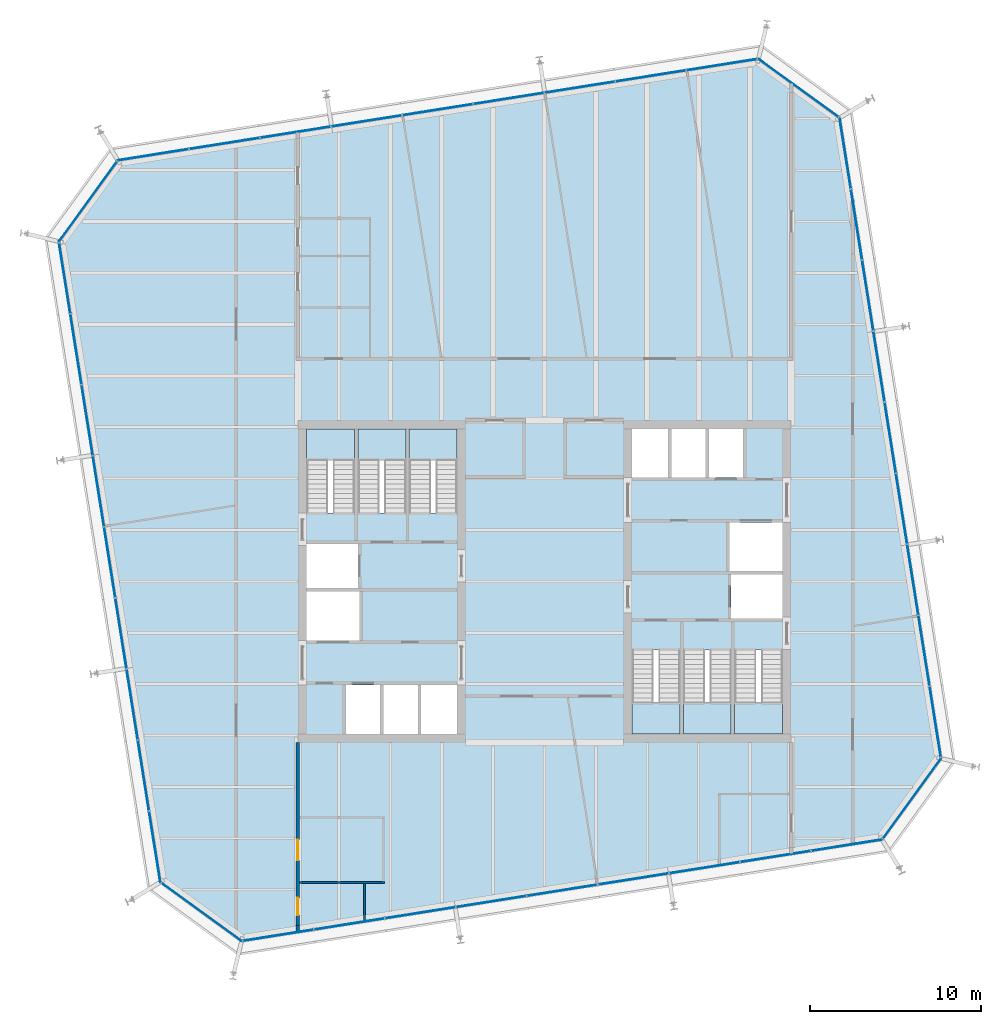
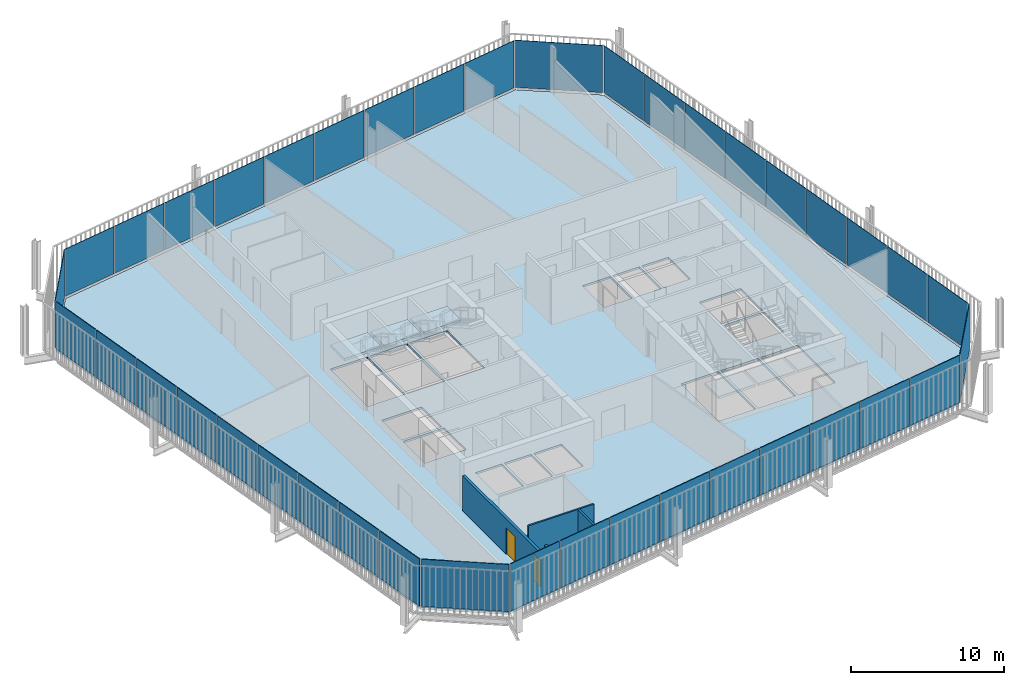
# One storey, part 15 of 20: 40 plates, 7 slabs, 4 walls, 2 doors, 2 openings, 14 elements without a shape of their own.
"""IFC4 building model written with IfcOpenShell, lengths in metres."""

import ifcopenshell
import ifcopenshell.guid

model = None  # the IFC model being written
_history = None  # IfcOwnerHistory: only IFC2X3 demands one
_inside = {}  # id of a spatial element -> (the spatial element, [elements in it])
_under = {}  # id of a project, library or spatial element -> (it, [spatial elements below it])
_declared = {}  # id of a project -> (the project, [libraries it declares])
_typed = {}  # id of a type object -> (the type object, [elements of that type])
_made_of = {}  # id of a material, layer set ... -> (it, [elements and type objects made of it])


def new_model(schema):
    """Start an empty IFC model of exactly this schema.

    Asked for "IFC4X3", IfcOpenShell would pick the latest addendum, in which some entities
    have other attributes; the version numbers below select the first issue.
    IFC2X3 requires an IfcOwnerHistory on every rooted entity: one is made here for all.
    """
    global model, _history
    if schema == "IFC4X3":
        model = ifcopenshell.file(schema_version=(4, 3, 0, 0))
    else:
        model = ifcopenshell.file(schema=schema)
    _inside.clear()
    _under.clear()
    _declared.clear()
    _typed.clear()
    _made_of.clear()
    _history = None
    if model.schema == "IFC2X3":
        org = make("IfcOrganization", Name="unknown")
        user = make(
            "IfcPersonAndOrganization",
            ThePerson=make("IfcPerson", FamilyName="unknown"),
            TheOrganization=org,
        )
        app = make(
            "IfcApplication",
            ApplicationDeveloper=org,
            Version="unknown",
            ApplicationFullName="unknown",
            ApplicationIdentifier="unknown",
        )
        _history = make(
            "IfcOwnerHistory",
            OwningUser=user,
            OwningApplication=app,
            ChangeAction="ADDED",
            CreationDate=0,
        )
    return model


def make(cls, **values):
    """One entity of the class cls with the attributes given. An attribute that is None is left unset."""
    return model.create_entity(
        cls, **{name: value for name, value in values.items() if value is not None}
    )


def rooted(cls, **values):
    """An entity with a GlobalId (a new one), such as an element, a storey or a relation."""
    return make(cls, GlobalId=ifcopenshell.guid.new(), OwnerHistory=_history, **values)


def si_unit(unit_type, name, prefix=None):
    """IfcSIUnit, for example si_unit("LENGTHUNIT", "METRE", prefix="MILLI")."""
    return make("IfcSIUnit", UnitType=unit_type, Prefix=prefix, Name=name)


def assignment(units):
    """IfcUnitAssignment: the units of a project."""
    return None if units is None else make("IfcUnitAssignment", Units=units)


def point(xyz):
    """IfcCartesianPoint."""
    return None if xyz is None else make("IfcCartesianPoint", Coordinates=xyz)


def direction(xyz):
    """IfcDirection."""
    return None if xyz is None else make("IfcDirection", DirectionRatios=xyz)


def frame(location, z_axis=None, x_axis=None):
    """IfcAxis2Placement3D, a coordinate frame: its origin and axes. An axis left out is left unset."""
    return make(
        "IfcAxis2Placement3D",
        Location=point(location),
        Axis=direction(z_axis),
        RefDirection=direction(x_axis),
    )


def frame_2d(location, x_axis=None):
    """IfcAxis2Placement2D, a coordinate frame in the plane: its origin and x axis."""
    return make(
        "IfcAxis2Placement2D", Location=point(location), RefDirection=direction(x_axis)
    )


def origin():
    """The frame at (0, 0, 0) with its axes left unset."""
    return frame((0.0, 0.0, 0.0))


def place(relative_to, where):
    """IfcLocalPlacement: puts the frame where relative to a parent placement (None: the world)."""
    return make(
        "IfcLocalPlacement", PlacementRelTo=relative_to, RelativePlacement=where
    )


def context(
    kind, dimensions, precision=None, world=None, true_north=None, identifier=None
):
    """IfcGeometricRepresentationContext, for example the 3D "Model" context."""
    return make(
        "IfcGeometricRepresentationContext",
        ContextIdentifier=identifier,
        ContextType=kind,
        CoordinateSpaceDimension=dimensions,
        Precision=precision,
        WorldCoordinateSystem=world,
        TrueNorth=true_north,
    )


def subcontext(parent, identifier, kind, view, scale=None):
    """IfcGeometricRepresentationSubContext, for example "Body" below "Model"."""
    return make(
        "IfcGeometricRepresentationSubContext",
        ContextIdentifier=identifier,
        ContextType=kind,
        ParentContext=parent,
        TargetScale=scale,
        TargetView=view,
    )


def project(units=None, contexts=None):
    """IfcProject with its units and contexts."""
    return rooted(
        "IfcProject",
        Name="project",
        RepresentationContexts=contexts,
        UnitsInContext=assignment(units),
    )


def spatial(cls, under=None, at=None, **own):
    """A site, building, storey or space (cls), placed at a placement, below another one or the project."""
    s = rooted(cls, ObjectPlacement=at, **own)
    if under is not None:
        _under.setdefault(under.id(), (under, []))[1].append(s)
    return s


def polyline(points):
    """IfcPolyline through the points."""
    return make("IfcPolyline", Points=[point(p) for p in points])


def profile(cls, at=None, kind="AREA", **sizes):
    """A parametric profile (cls). Its sizes go by their IFC names, for example OverallWidth=200.0."""
    return make(cls, ProfileType=kind, Position=at, **sizes)


def rectangle(**sizes):
    """IfcRectangleProfileDef."""
    return profile("IfcRectangleProfileDef", **sizes)


def outline(outer, holes=None, kind="AREA"):
    """IfcArbitraryClosedProfileDef: a profile drawn as a closed curve; with holes, ...WithVoids."""
    if holes is None:
        return make("IfcArbitraryClosedProfileDef", ProfileType=kind, OuterCurve=outer)
    return make(
        "IfcArbitraryProfileDefWithVoids",
        ProfileType=kind,
        OuterCurve=outer,
        InnerCurves=holes,
    )


def extrude(swept, where, along, depth):
    """IfcExtrudedAreaSolid: the profile swept, set in the frame where, extruded along a direction by depth."""
    return make(
        "IfcExtrudedAreaSolid",
        SweptArea=swept,
        Position=where,
        ExtrudedDirection=direction(along),
        Depth=depth,
    )


def shape(context_of_items, identifier, shape_type, items):
    """IfcShapeRepresentation: the items that make up one representation, for example the "Body"."""
    return make(
        "IfcShapeRepresentation",
        ContextOfItems=context_of_items,
        RepresentationIdentifier=identifier,
        RepresentationType=shape_type,
        Items=items,
    )


def material(Name=None, Category=None):
    """IfcMaterial."""
    return make("IfcMaterial", Name=Name, Category=Category)


def layer(
    of_material, thickness, ventilated=None, Name=None, Category=None, Priority=None
):
    """IfcMaterialLayer: one layer of a wall or slab, of a material (None: an air gap)."""
    return make(
        "IfcMaterialLayer",
        Material=of_material,
        LayerThickness=thickness,
        IsVentilated=ventilated,
        Name=Name,
        Category=Category,
        Priority=Priority,
    )


def layer_set(layers, Name=None):
    """IfcMaterialLayerSet."""
    return make("IfcMaterialLayerSet", MaterialLayers=layers, LayerSetName=Name)


def made_of(thing, what):
    """Note that an element or type object is made of a material, layer set ...; save() writes the relation."""
    if what is not None:
        _made_of.setdefault(what.id(), (what, []))[1].append(thing)
    return thing


def type_object(cls, material=None, **own):
    """A type object (cls), such as IfcWallType, which elements share."""
    return made_of(rooted(cls, **own), material)


def element(
    cls,
    number,
    at=None,
    inside=None,
    cuts=None,
    type_object=None,
    material=None,
    context=None,
    identifier="Body",
    shape_type=None,
    held_by="IfcProductDefinitionShape",
    body=None,
    shapes=None,
    **own,
):
    """One element of the class cls, such as IfcWall. Its Tag is "e" and its number.

    at: its placement. inside: the storey or other place that contains it. cuts: it is an
    opening in that element (IfcRelVoidsElement). A single representation is given by context,
    identifier, shape_type and body (its items); several are given by shapes. held_by: the class
    of the entity that holds the representations. save() writes the other relations.
    """
    e = rooted(cls, Tag="e%d" % number, ObjectPlacement=at, **own)
    if body is not None:
        shapes = [shape(context, identifier, shape_type, body)]
    if shapes is not None:
        e.Representation = make(held_by, Representations=shapes)
    if inside is not None:
        _inside.setdefault(inside.id(), (inside, []))[1].append(e)
    if cuts is not None:
        rooted(
            "IfcRelVoidsElement", RelatingBuildingElement=cuts, RelatedOpeningElement=e
        )
    if type_object is not None:
        _typed.setdefault(type_object.id(), (type_object, []))[1].append(e)
    return made_of(e, material)


def fill(opening, filler):
    """IfcRelFillsElement: the door or window that sits in an opening."""
    return rooted(
        "IfcRelFillsElement",
        RelatingOpeningElement=opening,
        RelatedBuildingElement=filler,
    )


def aggregate(whole, parts):
    """IfcRelAggregates: a whole, such as a stair, and the parts it consists of."""
    return rooted("IfcRelAggregates", RelatingObject=whole, RelatedObjects=parts)


def save(model, path):
    """Write the relations noted so far, then the file.

    IfcRelAggregates (storeys below a building ...), IfcRelContainedInSpatialStructure (elements
    in a storey), IfcRelDefinesByType, IfcRelAssociatesMaterial and IfcRelDeclares: one each for
    every whole, place, type object, material and project.
    """
    for whole, parts in _under.values():
        aggregate(whole, parts)
    for where, things in _inside.values():
        rooted(
            "IfcRelContainedInSpatialStructure",
            RelatedElements=things,
            RelatingStructure=where,
        )
    for kind, things in _typed.values():
        rooted("IfcRelDefinesByType", RelatedObjects=things, RelatingType=kind)
    for what, things in _made_of.values():
        rooted("IfcRelAssociatesMaterial", RelatedObjects=things, RelatingMaterial=what)
    for by, libraries in _declared.values():
        rooted("IfcRelDeclares", RelatingContext=by, RelatedDefinitions=libraries)
    model.write(path)


model = new_model("IFC4")

# Units and contexts
model_context = context("Model", 3, precision=1e-05, world=origin(), true_north=direction((0.0, 1.0)))
body_context = subcontext(model_context, "Body", "Model", "MODEL_VIEW")
ifc_project = project(units=[si_unit("LENGTHUNIT", "METRE"), si_unit("AREAUNIT", "SQUARE_METRE"), si_unit("VOLUMEUNIT", "CUBIC_METRE"), si_unit("PLANEANGLEUNIT", "RADIAN"), si_unit("MASSUNIT", "GRAM", prefix="KILO")], contexts=[model_context])

# Site, building, storey
site_placement = place(None, origin())
site = spatial("IfcSite", under=ifc_project, at=site_placement, CompositionType="ELEMENT")
building_placement = place(site_placement, origin())
building = spatial("IfcBuilding", under=site, at=building_placement, Name="Millrace Tower", CompositionType="ELEMENT")
storey_placement = place(building_placement, frame((0.0, 0.0, 224.199951171875)))
storey = spatial("IfcBuildingStorey", under=building, at=storey_placement, Name="L51", CompositionType="ELEMENT", Elevation=224.199951171875)

# Curtain wall, plate
ifc_material_1 = material(Name="Aluminium and glass", Category="aluminium")
ifc_layer_1 = layer(ifc_material_1, 0.14990234375)
ifc_layer_set_1 = layer_set([ifc_layer_1], Name="Aluminium and glass")
curtain_wall_type = type_object("IfcCurtainWallType", Name="CW-1 office vision curtain wall", PredefinedType="NOTDEFINED", material=ifc_layer_set_1)
placement_1 = place(storey_placement, origin())
curtain_wall_1 = element("IfcCurtainWall", 1, at=placement_1, inside=storey, type_object=curtain_wall_type, Name="Curtain wall D-F01 L51", PredefinedType="NOTDEFINED")
ifc_material_2 = material(Name="Glass", Category="glass")
ifc_layer_2 = layer(ifc_material_2, 0.0439453125)
ifc_layer_set_2 = layer_set([ifc_layer_2], Name="Glass")
plate_type = type_object("IfcPlateType", Name="CW-1 office vision curtain wall triple-glazed vision panel", PredefinedType="CURTAIN_PANEL", material=ifc_layer_set_2)
placement_2 = place(storey_placement, frame((0.0, 0.0, 0.14013671875)))
plate_1 = element("IfcPlate", 2, at=placement_2, type_object=plate_type, Name="CW1 panel D-F01.1", PredefinedType="CURTAIN_PANEL", context=body_context, shape_type="SweptSolid", body=[
    extrude(outline(polyline([(-22.36474609375, -17.632080078125), (-17.69384765625, -21.025634765625), (-17.6826171875, -20.979248046875), (-22.3388671875, -17.596435546875), (-22.36474609375, -17.632080078125)])), origin(), (0.0, 0.0, 1.0), 3.760009765625),
])
aggregate(curtain_wall_1, [plate_1])

# Curtain wall, plates
curtain_wall_2 = element("IfcCurtainWall", 3, at=placement_1, inside=storey, type_object=curtain_wall_type, Name="Curtain wall D-F02 L51", PredefinedType="NOTDEFINED")
plate_2 = element("IfcPlate", 4, at=placement_2, type_object=plate_type, Name="CW1 panel D-F02.1", PredefinedType="CURTAIN_PANEL", context=body_context, shape_type="SweptSolid", body=[
    extrude(outline(polyline([(-17.58984375, -21.009033203125), (-13.505859375, -20.3623046875), (-13.5126953125, -20.31884765625), (-17.596923828125, -20.965576171875), (-17.58984375, -21.009033203125)])), origin(), (0.0, 0.0, 1.0), 3.760009765625),
])
plate_3 = element("IfcPlate", 5, at=placement_2, type_object=plate_type, Name="CW1 panel D-F02.2", PredefinedType="CURTAIN_PANEL", context=body_context, shape_type="SweptSolid", body=[
    extrude(outline(polyline([(-13.441650390625, -20.35205078125), (-9.357666015625, -19.705078125), (-9.364501953125, -19.66162109375), (-13.448486328125, -20.30859375), (-13.441650390625, -20.35205078125)])), origin(), (0.0, 0.0, 1.0), 3.760009765625),
])
plate_4 = element("IfcPlate", 6, at=placement_2, type_object=plate_type, Name="CW1 panel D-F02.3", PredefinedType="CURTAIN_PANEL", context=body_context, shape_type="SweptSolid", body=[
    extrude(outline(polyline([(-9.29345703125, -19.695068359375), (-5.209228515625, -19.048095703125), (-5.216064453125, -19.004638671875), (-9.30029296875, -19.651611328125), (-9.29345703125, -19.695068359375)])), origin(), (0.0, 0.0, 1.0), 3.760009765625),
])
plate_5 = element("IfcPlate", 7, at=placement_2, type_object=plate_type, Name="CW1 panel D-F02.4", PredefinedType="CURTAIN_PANEL", context=body_context, shape_type="SweptSolid", body=[
    extrude(outline(polyline([(-5.14501953125, -19.0380859375), (-1.06103515625, -18.39111328125), (-1.06787109375, -18.34765625), (-5.15185546875, -18.99462890625), (-5.14501953125, -19.0380859375)])), origin(), (0.0, 0.0, 1.0), 3.760009765625),
])
plate_6 = element("IfcPlate", 8, at=placement_2, type_object=plate_type, Name="CW1 panel D-F02.5", PredefinedType="CURTAIN_PANEL", context=body_context, shape_type="SweptSolid", body=[
    extrude(outline(polyline([(-0.996826171875, -18.380859375), (3.08740234375, -17.734130859375), (3.080322265625, -17.690673828125), (-1.003662109375, -18.33740234375), (-0.996826171875, -18.380859375)])), origin(), (0.0, 0.0, 1.0), 3.760009765625),
])
plate_7 = element("IfcPlate", 9, at=placement_2, type_object=plate_type, Name="CW1 panel D-F02.6", PredefinedType="CURTAIN_PANEL", context=body_context, shape_type="SweptSolid", body=[
    extrude(outline(polyline([(3.151611328125, -17.723876953125), (7.235595703125, -17.0771484375), (7.228759765625, -17.03369140625), (3.14453125, -17.680419921875), (3.151611328125, -17.723876953125)])), origin(), (0.0, 0.0, 1.0), 3.760009765625),
])
plate_8 = element("IfcPlate", 10, at=placement_2, type_object=plate_type, Name="CW1 panel D-F02.7", PredefinedType="CURTAIN_PANEL", context=body_context, shape_type="SweptSolid", body=[
    extrude(outline(polyline([(7.2998046875, -17.06689453125), (11.3837890625, -16.420166015625), (11.376953125, -16.376708984375), (7.29296875, -17.0234375), (7.2998046875, -17.06689453125)])), origin(), (0.0, 0.0, 1.0), 3.760009765625),
])
plate_9 = element("IfcPlate", 11, at=placement_2, type_object=plate_type, Name="CW1 panel D-F02.8", PredefinedType="CURTAIN_PANEL", context=body_context, shape_type="SweptSolid", body=[
    extrude(outline(polyline([(11.447998046875, -16.409912109375), (15.5322265625, -15.762939453125), (15.525390625, -15.719482421875), (11.441162109375, -16.366455078125), (11.447998046875, -16.409912109375)])), origin(), (0.0, 0.0, 1.0), 3.760009765625),
])
plate_10 = element("IfcPlate", 12, at=placement_2, type_object=plate_type, Name="CW1 panel D-F02.9", PredefinedType="CURTAIN_PANEL", context=body_context, shape_type="SweptSolid", body=[
    extrude(outline(polyline([(15.596435546875, -15.7529296875), (19.72021484375, -15.099853515625), (19.6953125, -15.05908203125), (15.589599609375, -15.70947265625), (15.596435546875, -15.7529296875)])), origin(), (0.0, 0.0, 1.0), 3.760009765625),
])
aggregate(curtain_wall_2, [plate_2, plate_3, plate_4, plate_5, plate_6, plate_7, plate_8, plate_9, plate_10])

# Curtain wall, plate
curtain_wall_3 = element("IfcCurtainWall", 13, at=placement_1, inside=storey, type_object=curtain_wall_type, Name="Curtain wall D-F03 L51", PredefinedType="NOTDEFINED")
plate_11 = element("IfcPlate", 14, at=placement_2, type_object=plate_type, Name="CW1 panel D-F03.1", PredefinedType="CURTAIN_PANEL", context=body_context, shape_type="SweptSolid", body=[
    extrude(outline(polyline([(19.781982421875, -15.0146484375), (23.175537109375, -10.34375), (23.129150390625, -10.332763671875), (19.746337890625, -14.98876953125), (19.781982421875, -15.0146484375)])), origin(), (0.0, 0.0, 1.0), 3.760009765625),
])
aggregate(curtain_wall_3, [plate_11])

# Curtain wall, plates
curtain_wall_4 = element("IfcCurtainWall", 15, at=placement_1, inside=storey, type_object=curtain_wall_type, Name="Curtain wall D-F04 L51", PredefinedType="NOTDEFINED")
plate_12 = element("IfcPlate", 16, at=placement_2, type_object=plate_type, Name="CW1 panel D-F04.1", PredefinedType="CURTAIN_PANEL", context=body_context, shape_type="SweptSolid", body=[
    extrude(outline(polyline([(23.1591796875, -10.239990234375), (22.51220703125, -6.15576171875), (22.46875, -6.162841796875), (23.11572265625, -10.246826171875), (23.1591796875, -10.239990234375)])), origin(), (0.0, 0.0, 1.0), 3.760009765625),
])
plate_13 = element("IfcPlate", 17, at=placement_2, type_object=plate_type, Name="CW1 panel D-F04.2", PredefinedType="CURTAIN_PANEL", context=body_context, shape_type="SweptSolid", body=[
    extrude(outline(polyline([(22.501953125, -6.091552734375), (21.855224609375, -2.007568359375), (21.811767578125, -2.014404296875), (22.45849609375, -6.0986328125), (22.501953125, -6.091552734375)])), origin(), (0.0, 0.0, 1.0), 3.760009765625),
])
plate_14 = element("IfcPlate", 18, at=placement_2, type_object=plate_type, Name="CW1 panel D-F04.3", PredefinedType="CURTAIN_PANEL", context=body_context, shape_type="SweptSolid", body=[
    extrude(outline(polyline([(21.844970703125, -1.943359375), (21.1982421875, 2.140625), (21.15478515625, 2.1337890625), (21.801513671875, -1.9501953125), (21.844970703125, -1.943359375)])), origin(), (0.0, 0.0, 1.0), 3.760009765625),
])
plate_15 = element("IfcPlate", 19, at=placement_2, type_object=plate_type, Name="CW1 panel D-F04.4", PredefinedType="CURTAIN_PANEL", context=body_context, shape_type="SweptSolid", body=[
    extrude(outline(polyline([(21.18798828125, 2.204833984375), (20.541259765625, 6.2890625), (20.497802734375, 6.2822265625), (21.14453125, 2.197998046875), (21.18798828125, 2.204833984375)])), origin(), (0.0, 0.0, 1.0), 3.760009765625),
])
plate_16 = element("IfcPlate", 20, at=placement_2, type_object=plate_type, Name="CW1 panel D-F04.5", PredefinedType="CURTAIN_PANEL", context=body_context, shape_type="SweptSolid", body=[
    extrude(outline(polyline([(20.531005859375, 6.353271484375), (19.884033203125, 10.437255859375), (19.840576171875, 10.430419921875), (20.487548828125, 6.346435546875), (20.531005859375, 6.353271484375)])), origin(), (0.0, 0.0, 1.0), 3.760009765625),
])
plate_17 = element("IfcPlate", 21, at=placement_2, type_object=plate_type, Name="CW1 panel D-F04.6", PredefinedType="CURTAIN_PANEL", context=body_context, shape_type="SweptSolid", body=[
    extrude(outline(polyline([(19.8740234375, 10.50146484375), (19.22705078125, 14.585693359375), (19.18359375, 14.57861328125), (19.83056640625, 10.49462890625), (19.8740234375, 10.50146484375)])), origin(), (0.0, 0.0, 1.0), 3.760009765625),
])
plate_18 = element("IfcPlate", 22, at=placement_2, type_object=plate_type, Name="CW1 panel D-F04.7", PredefinedType="CURTAIN_PANEL", context=body_context, shape_type="SweptSolid", body=[
    extrude(outline(polyline([(19.217041015625, 14.64990234375), (18.570068359375, 18.73388671875), (18.526611328125, 18.72705078125), (19.173583984375, 14.642822265625), (19.217041015625, 14.64990234375)])), origin(), (0.0, 0.0, 1.0), 3.760009765625),
])
plate_19 = element("IfcPlate", 23, at=placement_2, type_object=plate_type, Name="CW1 panel D-F04.8", PredefinedType="CURTAIN_PANEL", context=body_context, shape_type="SweptSolid", body=[
    extrude(outline(polyline([(18.559814453125, 18.798095703125), (17.9130859375, 22.882080078125), (17.86962890625, 22.875244140625), (18.516357421875, 18.791259765625), (18.559814453125, 18.798095703125)])), origin(), (0.0, 0.0, 1.0), 3.760009765625),
])
plate_20 = element("IfcPlate", 24, at=placement_2, type_object=plate_type, Name="CW1 panel D-F04.9", PredefinedType="CURTAIN_PANEL", context=body_context, shape_type="SweptSolid", body=[
    extrude(outline(polyline([(17.90283203125, 22.9462890625), (17.249755859375, 27.070068359375), (17.209228515625, 27.045166015625), (17.859375, 22.939453125), (17.90283203125, 22.9462890625)])), origin(), (0.0, 0.0, 1.0), 3.760009765625),
])
aggregate(curtain_wall_4, [plate_12, plate_13, plate_14, plate_15, plate_16, plate_17, plate_18, plate_19, plate_20])

# Curtain wall, plate
curtain_wall_5 = element("IfcCurtainWall", 25, at=placement_1, inside=storey, type_object=curtain_wall_type, Name="Curtain wall D-F05 L51", PredefinedType="NOTDEFINED")
plate_21 = element("IfcPlate", 26, at=placement_2, type_object=plate_type, Name="CW1 panel D-F05.1", PredefinedType="CURTAIN_PANEL", context=body_context, shape_type="SweptSolid", body=[
    extrude(outline(polyline([(17.16455078125, 27.132080078125), (12.493896484375, 30.525634765625), (12.482666015625, 30.479248046875), (17.138671875, 27.096435546875), (17.16455078125, 27.132080078125)])), origin(), (0.0, 0.0, 1.0), 3.760009765625),
])
aggregate(curtain_wall_5, [plate_21])

# Curtain wall, plates
curtain_wall_6 = element("IfcCurtainWall", 27, at=placement_1, inside=storey, type_object=curtain_wall_type, Name="Curtain wall D-F06 L51", PredefinedType="NOTDEFINED")
plate_22 = element("IfcPlate", 28, at=placement_2, type_object=plate_type, Name="CW1 panel D-F06.1", PredefinedType="CURTAIN_PANEL", context=body_context, shape_type="SweptSolid", body=[
    extrude(outline(polyline([(12.389892578125, 30.509033203125), (8.305908203125, 29.8623046875), (8.312744140625, 29.81884765625), (12.396728515625, 30.465576171875), (12.389892578125, 30.509033203125)])), origin(), (0.0, 0.0, 1.0), 3.760009765625),
])
plate_23 = element("IfcPlate", 29, at=placement_2, type_object=plate_type, Name="CW1 panel D-F06.2", PredefinedType="CURTAIN_PANEL", context=body_context, shape_type="SweptSolid", body=[
    extrude(outline(polyline([(8.24169921875, 29.85205078125), (4.157470703125, 29.205078125), (4.16455078125, 29.16162109375), (8.24853515625, 29.80859375), (8.24169921875, 29.85205078125)])), origin(), (0.0, 0.0, 1.0), 3.760009765625),
])
plate_24 = element("IfcPlate", 30, at=placement_2, type_object=plate_type, Name="CW1 panel D-F06.3", PredefinedType="CURTAIN_PANEL", context=body_context, shape_type="SweptSolid", body=[
    extrude(outline(polyline([(4.09326171875, 29.195068359375), (0.00927734375, 28.548095703125), (0.01611328125, 28.504638671875), (4.100341796875, 29.151611328125), (4.09326171875, 29.195068359375)])), origin(), (0.0, 0.0, 1.0), 3.760009765625),
])
plate_25 = element("IfcPlate", 31, at=placement_2, type_object=plate_type, Name="CW1 panel D-F06.4", PredefinedType="CURTAIN_PANEL", context=body_context, shape_type="SweptSolid", body=[
    extrude(outline(polyline([(-0.054931640625, 28.5380859375), (-4.138916015625, 27.89111328125), (-4.132080078125, 27.84765625), (-0.048095703125, 28.49462890625), (-0.054931640625, 28.5380859375)])), origin(), (0.0, 0.0, 1.0), 3.760009765625),
])
plate_26 = element("IfcPlate", 32, at=placement_2, type_object=plate_type, Name="CW1 panel D-F06.5", PredefinedType="CURTAIN_PANEL", context=body_context, shape_type="SweptSolid", body=[
    extrude(outline(polyline([(-4.203125, 27.880859375), (-8.287353515625, 27.234130859375), (-8.280517578125, 27.190673828125), (-4.1962890625, 27.83740234375), (-4.203125, 27.880859375)])), origin(), (0.0, 0.0, 1.0), 3.760009765625),
])
plate_27 = element("IfcPlate", 33, at=placement_2, type_object=plate_type, Name="CW1 panel D-F06.6", PredefinedType="CURTAIN_PANEL", context=body_context, shape_type="SweptSolid", body=[
    extrude(outline(polyline([(-8.3515625, 27.223876953125), (-12.435546875, 26.5771484375), (-12.4287109375, 26.53369140625), (-8.3447265625, 27.180419921875), (-8.3515625, 27.223876953125)])), origin(), (0.0, 0.0, 1.0), 3.760009765625),
])
plate_28 = element("IfcPlate", 34, at=placement_2, type_object=plate_type, Name="CW1 panel D-F06.7", PredefinedType="CURTAIN_PANEL", context=body_context, shape_type="SweptSolid", body=[
    extrude(outline(polyline([(-12.499755859375, 26.56689453125), (-16.583984375, 25.920166015625), (-16.576904296875, 25.876708984375), (-12.492919921875, 26.5234375), (-12.499755859375, 26.56689453125)])), origin(), (0.0, 0.0, 1.0), 3.760009765625),
])
plate_29 = element("IfcPlate", 35, at=placement_2, type_object=plate_type, Name="CW1 panel D-F06.8", PredefinedType="CURTAIN_PANEL", context=body_context, shape_type="SweptSolid", body=[
    extrude(outline(polyline([(-16.648193359375, 25.909912109375), (-20.732177734375, 25.262939453125), (-20.725341796875, 25.219482421875), (-16.64111328125, 25.866455078125), (-16.648193359375, 25.909912109375)])), origin(), (0.0, 0.0, 1.0), 3.760009765625),
])
plate_30 = element("IfcPlate", 36, at=placement_2, type_object=plate_type, Name="CW1 panel D-F06.9", PredefinedType="CURTAIN_PANEL", context=body_context, shape_type="SweptSolid", body=[
    extrude(outline(polyline([(-20.79638671875, 25.2529296875), (-24.920166015625, 24.599853515625), (-24.895263671875, 24.55908203125), (-20.78955078125, 25.20947265625), (-20.79638671875, 25.2529296875)])), origin(), (0.0, 0.0, 1.0), 3.760009765625),
])
aggregate(curtain_wall_6, [plate_22, plate_23, plate_24, plate_25, plate_26, plate_27, plate_28, plate_29, plate_30])

# Curtain wall, plate
curtain_wall_7 = element("IfcCurtainWall", 37, at=placement_1, inside=storey, type_object=curtain_wall_type, Name="Curtain wall D-F07 L51", PredefinedType="NOTDEFINED")
plate_31 = element("IfcPlate", 38, at=placement_2, type_object=plate_type, Name="CW1 panel D-F07.1", PredefinedType="CURTAIN_PANEL", context=body_context, shape_type="SweptSolid", body=[
    extrude(outline(polyline([(-24.98193359375, 24.5146484375), (-28.37548828125, 19.84375), (-28.329345703125, 19.832763671875), (-24.9462890625, 24.48876953125), (-24.98193359375, 24.5146484375)])), origin(), (0.0, 0.0, 1.0), 3.760009765625),
])
aggregate(curtain_wall_7, [plate_31])

# Curtain wall, plates
curtain_wall_8 = element("IfcCurtainWall", 39, at=placement_1, inside=storey, type_object=curtain_wall_type, Name="Curtain wall D-F08 L51", PredefinedType="NOTDEFINED")
plate_32 = element("IfcPlate", 40, at=placement_2, type_object=plate_type, Name="CW1 panel D-F08.1", PredefinedType="CURTAIN_PANEL", context=body_context, shape_type="SweptSolid", body=[
    extrude(outline(polyline([(-28.359130859375, 19.739990234375), (-27.712158203125, 15.65576171875), (-27.668701171875, 15.662841796875), (-28.315673828125, 19.746826171875), (-28.359130859375, 19.739990234375)])), origin(), (0.0, 0.0, 1.0), 3.760009765625),
])
plate_33 = element("IfcPlate", 41, at=placement_2, type_object=plate_type, Name="CW1 panel D-F08.2", PredefinedType="CURTAIN_PANEL", context=body_context, shape_type="SweptSolid", body=[
    extrude(outline(polyline([(-27.7021484375, 15.591552734375), (-27.05517578125, 11.507568359375), (-27.01171875, 11.514404296875), (-27.65869140625, 15.5986328125), (-27.7021484375, 15.591552734375)])), origin(), (0.0, 0.0, 1.0), 3.760009765625),
])
plate_34 = element("IfcPlate", 42, at=placement_2, type_object=plate_type, Name="CW1 panel D-F08.3", PredefinedType="CURTAIN_PANEL", context=body_context, shape_type="SweptSolid", body=[
    extrude(outline(polyline([(-27.044921875, 11.443359375), (-26.398193359375, 7.359375), (-26.354736328125, 7.3662109375), (-27.00146484375, 11.4501953125), (-27.044921875, 11.443359375)])), origin(), (0.0, 0.0, 1.0), 3.760009765625),
])
plate_35 = element("IfcPlate", 43, at=placement_2, type_object=plate_type, Name="CW1 panel D-F08.4", PredefinedType="CURTAIN_PANEL", context=body_context, shape_type="SweptSolid", body=[
    extrude(outline(polyline([(-26.387939453125, 7.295166015625), (-25.7412109375, 3.2109375), (-25.69775390625, 3.2177734375), (-26.344482421875, 7.302001953125), (-26.387939453125, 7.295166015625)])), origin(), (0.0, 0.0, 1.0), 3.760009765625),
])
plate_36 = element("IfcPlate", 44, at=placement_2, type_object=plate_type, Name="CW1 panel D-F08.5", PredefinedType="CURTAIN_PANEL", context=body_context, shape_type="SweptSolid", body=[
    extrude(outline(polyline([(-25.73095703125, 3.146728515625), (-25.084228515625, -0.937255859375), (-25.040771484375, -0.930419921875), (-25.6875, 3.153564453125), (-25.73095703125, 3.146728515625)])), origin(), (0.0, 0.0, 1.0), 3.760009765625),
])
plate_37 = element("IfcPlate", 45, at=placement_2, type_object=plate_type, Name="CW1 panel D-F08.6", PredefinedType="CURTAIN_PANEL", context=body_context, shape_type="SweptSolid", body=[
    extrude(outline(polyline([(-25.073974609375, -1.00146484375), (-24.427001953125, -5.085693359375), (-24.383544921875, -5.07861328125), (-25.030517578125, -0.99462890625), (-25.073974609375, -1.00146484375)])), origin(), (0.0, 0.0, 1.0), 3.760009765625),
])
plate_38 = element("IfcPlate", 46, at=placement_2, type_object=plate_type, Name="CW1 panel D-F08.7", PredefinedType="CURTAIN_PANEL", context=body_context, shape_type="SweptSolid", body=[
    extrude(outline(polyline([(-24.4169921875, -5.14990234375), (-23.77001953125, -9.23388671875), (-23.7265625, -9.22705078125), (-24.37353515625, -5.142822265625), (-24.4169921875, -5.14990234375)])), origin(), (0.0, 0.0, 1.0), 3.760009765625),
])
plate_39 = element("IfcPlate", 47, at=placement_2, type_object=plate_type, Name="CW1 panel D-F08.8", PredefinedType="CURTAIN_PANEL", context=body_context, shape_type="SweptSolid", body=[
    extrude(outline(polyline([(-23.760009765625, -9.298095703125), (-23.113037109375, -13.382080078125), (-23.069580078125, -13.375244140625), (-23.716552734375, -9.291259765625), (-23.760009765625, -9.298095703125)])), origin(), (0.0, 0.0, 1.0), 3.760009765625),
])
plate_40 = element("IfcPlate", 48, at=placement_2, type_object=plate_type, Name="CW1 panel D-F08.9", PredefinedType="CURTAIN_PANEL", context=body_context, shape_type="SweptSolid", body=[
    extrude(outline(polyline([(-23.102783203125, -13.4462890625), (-22.44970703125, -17.570068359375), (-22.4091796875, -17.545166015625), (-23.059326171875, -13.439453125), (-23.102783203125, -13.4462890625)])), origin(), (0.0, 0.0, 1.0), 3.760009765625),
])
aggregate(curtain_wall_8, [plate_32, plate_33, plate_34, plate_35, plate_36, plate_37, plate_38, plate_39, plate_40])

# Slab
ifc_material_3 = material(Name="Concrete C35 on steel deck", Category="concrete")
ifc_layer_3 = layer(ifc_material_3, 0.159912109375)
ifc_layer_set_3 = layer_set([ifc_layer_3], Name="Concrete C35 on steel deck")
slab_type_1 = type_object("IfcSlabType", Name="Composite floor slab 160 mm", PredefinedType="FLOOR", material=ifc_layer_set_3)
slab_1_placement = place(storey_placement, frame((0.0, 0.0, -0.159912109375)))
element("IfcSlab", 49, at=slab_1_placement, inside=storey, type_object=slab_type_1, Name="SL-D-L51-S1", PredefinedType="FLOOR", context=body_context, shape_type="SweptSolid", body=[
    extrude(outline(polyline([(-22.360107421875, -17.515380859375), (-17.66943359375, -20.92333984375), (19.665283203125, -15.01025390625), (23.073486328125, -10.3193359375), (17.16015625, 27.015380859375), (12.46923828125, 30.42333984375), (-24.865234375, 24.51025390625), (-28.2734375, 19.8193359375), (-22.360107421875, -17.515380859375)]), holes=[polyline([(-11.60009765625, -8.89990234375), (-9.60009765625, -8.89990234375), (-9.60009765625, -6.050048828125), (-11.60009765625, -6.050048828125), (-11.60009765625, -8.89990234375)]), polyline([(-9.39990234375, -8.89990234375), (-7.39990234375, -8.89990234375), (-7.39990234375, -6.050048828125), (-9.39990234375, -6.050048828125), (-9.39990234375, -8.89990234375)]), polyline([(-7.199951171875, -8.89990234375), (-5.10009765625, -8.89990234375), (-5.10009765625, -6.050048828125), (-7.199951171875, -6.050048828125), (-7.199951171875, -8.89990234375)]), polyline([(-13.89990234375, -3.449951171875), (-10.800048828125, -3.449951171875), (-10.800048828125, -0.60009765625), (-13.89990234375, -0.60009765625), (-13.89990234375, -3.449951171875)]), polyline([(-13.89990234375, -0.39990234375), (-10.89990234375, -0.39990234375), (-10.89990234375, 2.179931640625), (-13.89990234375, 2.179931640625), (-13.89990234375, -0.39990234375)]), polyline([(-13.89990234375, 4.0), (-11.10009765625, 4.0), (-11.10009765625, 8.89990234375), (-13.89990234375, 8.89990234375), (-13.89990234375, 4.0)]), polyline([(-10.89990234375, 4.0), (-8.10009765625, 4.0), (-8.10009765625, 8.89990234375), (-10.89990234375, 8.89990234375), (-10.89990234375, 4.0)]), polyline([(-7.89990234375, 4.0), (-5.10009765625, 4.0), (-5.10009765625, 8.89990234375), (-7.89990234375, 8.89990234375), (-7.89990234375, 4.0)]), polyline([(9.60009765625, 6.050048828125), (11.60009765625, 6.050048828125), (11.60009765625, 8.89990234375), (9.60009765625, 8.89990234375), (9.60009765625, 6.050048828125)]), polyline([(7.39990234375, 6.050048828125), (9.39990234375, 6.050048828125), (9.39990234375, 8.89990234375), (7.39990234375, 8.89990234375), (7.39990234375, 6.050048828125)]), polyline([(5.10009765625, 6.050048828125), (7.199951171875, 6.050048828125), (7.199951171875, 8.89990234375), (5.10009765625, 8.89990234375), (5.10009765625, 6.050048828125)]), polyline([(10.800048828125, 0.60009765625), (13.89990234375, 0.60009765625), (13.89990234375, 3.449951171875), (10.800048828125, 3.449951171875), (10.800048828125, 0.60009765625)]), polyline([(10.89990234375, -2.179931640625), (13.89990234375, -2.179931640625), (13.89990234375, 0.39990234375), (10.89990234375, 0.39990234375), (10.89990234375, -2.179931640625)]), polyline([(11.10009765625, -8.89990234375), (13.89990234375, -8.89990234375), (13.89990234375, -4.0), (11.10009765625, -4.0), (11.10009765625, -8.89990234375)]), polyline([(8.10009765625, -8.89990234375), (10.89990234375, -8.89990234375), (10.89990234375, -4.0), (8.10009765625, -4.0), (8.10009765625, -8.89990234375)]), polyline([(5.10009765625, -8.89990234375), (7.89990234375, -8.89990234375), (7.89990234375, -4.0), (5.10009765625, -4.0), (5.10009765625, -8.89990234375)])]), origin(), (0.0, 0.0, 1.0), 0.159912109375),
])

# Stair, slab
ifc_material_4 = material(Name="Concrete C35", Category="concrete")
stair_type = type_object("IfcStairType", Name="Exit stair", PredefinedType="HALF_TURN_STAIR", material=ifc_material_4)
stair_1 = element("IfcStair", 50, at=placement_1, inside=storey, type_object=stair_type, Name="Stair 1 W L51", PredefinedType="HALF_TURN_STAIR")
ifc_material_5 = material(Name="Concrete C40", Category="concrete")
ifc_layer_4 = layer(ifc_material_5, 0.199951171875)
ifc_layer_set_4 = layer_set([ifc_layer_4], Name="Concrete C40")
slab_type_2 = type_object("IfcSlabType", Name="Stair landing", PredefinedType="LANDING", material=ifc_layer_set_4)
placement_3 = place(storey_placement, frame((0.0, 0.0, 1.75)))
slab_2 = element("IfcSlab", 51, at=placement_3, type_object=slab_type_2, Name="ST12 landing 1", PredefinedType="LANDING", context=body_context, shape_type="SweptSolid", body=[
    extrude(outline(polyline([(-13.89990234375, 7.080078125), (-11.10009765625, 7.080078125), (-11.10009765625, 8.89990234375), (-13.89990234375, 8.89990234375), (-13.89990234375, 7.080078125)])), origin(), (0.0, 0.0, 1.0), 0.199951171875),
])
aggregate(stair_1, [slab_2])

stair_2 = element("IfcStair", 52, at=placement_1, inside=storey, type_object=stair_type, Name="Stair 2 W L51", PredefinedType="HALF_TURN_STAIR")
slab_3 = element("IfcSlab", 53, at=placement_3, type_object=slab_type_2, Name="ST12 landing 1", PredefinedType="LANDING", context=body_context, shape_type="SweptSolid", body=[
    extrude(outline(polyline([(-10.89990234375, 7.080078125), (-8.10009765625, 7.080078125), (-8.10009765625, 8.89990234375), (-10.89990234375, 8.89990234375), (-10.89990234375, 7.080078125)])), origin(), (0.0, 0.0, 1.0), 0.199951171875),
])
aggregate(stair_2, [slab_3])

stair_3 = element("IfcStair", 54, at=placement_1, inside=storey, type_object=stair_type, Name="Stair 3 W L51", PredefinedType="HALF_TURN_STAIR")
slab_4 = element("IfcSlab", 55, at=placement_3, type_object=slab_type_2, Name="ST12 landing 1", PredefinedType="LANDING", context=body_context, shape_type="SweptSolid", body=[
    extrude(outline(polyline([(-7.89990234375, 7.080078125), (-5.10009765625, 7.080078125), (-5.10009765625, 8.89990234375), (-7.89990234375, 8.89990234375), (-7.89990234375, 7.080078125)])), origin(), (0.0, 0.0, 1.0), 0.199951171875),
])
aggregate(stair_3, [slab_4])

stair_4 = element("IfcStair", 56, at=placement_1, inside=storey, type_object=stair_type, Name="Stair 1 E L51", PredefinedType="HALF_TURN_STAIR")
slab_5 = element("IfcSlab", 57, at=placement_3, type_object=slab_type_2, Name="ST12 landing 1", PredefinedType="LANDING", context=body_context, shape_type="SweptSolid", body=[
    extrude(outline(polyline([(11.10009765625, -8.89990234375), (13.89990234375, -8.89990234375), (13.89990234375, -7.080078125), (11.10009765625, -7.080078125), (11.10009765625, -8.89990234375)])), origin(), (0.0, 0.0, 1.0), 0.199951171875),
])
aggregate(stair_4, [slab_5])

stair_5 = element("IfcStair", 58, at=placement_1, inside=storey, type_object=stair_type, Name="Stair 2 E L51", PredefinedType="HALF_TURN_STAIR")
slab_6 = element("IfcSlab", 59, at=placement_3, type_object=slab_type_2, Name="ST12 landing 1", PredefinedType="LANDING", context=body_context, shape_type="SweptSolid", body=[
    extrude(outline(polyline([(8.10009765625, -8.89990234375), (10.89990234375, -8.89990234375), (10.89990234375, -7.080078125), (8.10009765625, -7.080078125), (8.10009765625, -8.89990234375)])), origin(), (0.0, 0.0, 1.0), 0.199951171875),
])
aggregate(stair_5, [slab_6])

stair_6 = element("IfcStair", 60, at=placement_1, inside=storey, type_object=stair_type, Name="Stair 3 E L51", PredefinedType="HALF_TURN_STAIR")
slab_7 = element("IfcSlab", 61, at=placement_3, type_object=slab_type_2, Name="ST12 landing 1", PredefinedType="LANDING", context=body_context, shape_type="SweptSolid", body=[
    extrude(outline(polyline([(5.10009765625, -8.89990234375), (7.89990234375, -8.89990234375), (7.89990234375, -7.080078125), (5.10009765625, -7.080078125), (5.10009765625, -8.89990234375)])), origin(), (0.0, 0.0, 1.0), 0.199951171875),
])
aggregate(stair_6, [slab_7])

# Wall
ifc_material_6 = material(Name="Masonry partition, fire-rated", Category="masonry")
ifc_layer_5 = layer(ifc_material_6, 0.199951171875)
ifc_layer_set_5 = layer_set([ifc_layer_5], Name="Masonry partition, fire-rated")
wall_type_1 = type_object("IfcWallType", Name="Corridor wall 200", PredefinedType="PARTITIONING", material=ifc_layer_set_5)
wall_1_placement = place(storey_placement, frame((-14.39990234375, -20.43603515625, 0.0), z_axis=(0.0, 0.0, 1.0), x_axis=(0.0, 1.0, 0.0)))
element("IfcWall", 62, at=wall_1_placement, inside=storey, type_object=wall_type_1, Name="Corridor wall L51", PredefinedType="PARTITIONING", context=body_context, shape_type="SweptSolid", body=[
    extrude(rectangle(XDim=0.349609375, YDim=0.199951171875, at=frame_2d((0.1748046875, 0.0))), origin(), (0.0, 0.0, 1.0), 3.739990234375),
])

# Wall, openings, doors
wall_2_placement = place(storey_placement, frame((-14.39990234375, -20.08642578125, 0.0), z_axis=(0.0, 0.0, 1.0), x_axis=(0.0, 1.0, 0.0)))
wall_2 = element("IfcWall", 63, at=wall_2_placement, inside=storey, type_object=wall_type_1, Name="Corridor wall L51", PredefinedType="PARTITIONING", context=body_context, shape_type="SweptSolid", body=[
    extrude(rectangle(XDim=10.6865234375, YDim=0.199951171875, at=frame_2d((5.34326171875, 0.0))), origin(), (0.0, 0.0, 1.0), 2.81298828125),
])
opening_1_placement = place(wall_2_placement, frame((0.6015625, 0.0, 0.0)))
opening_1 = element("IfcOpeningElement", 64, at=opening_1_placement, cuts=wall_2, Name="Opening 51-P015", PredefinedType="OPENING", context=body_context, shape_type="SweptSolid", body=[
    extrude(rectangle(XDim=1.0, YDim=2.10009765625, at=frame_2d((0.5, 1.050048828125))), frame((0.0, 0.10986328125, 0.0), z_axis=(0.0, -1.0, 0.0), x_axis=(1.0, 0.0, 0.0)), (0.0, 0.0, 1.0), 0.219970703125),
])
opening_2_placement = place(wall_2_placement, frame((3.801513671875, 0.0, 0.0)))
opening_2 = element("IfcOpeningElement", 65, at=opening_2_placement, cuts=wall_2, Name="Opening 51-P016", PredefinedType="OPENING", context=body_context, shape_type="SweptSolid", body=[
    extrude(rectangle(XDim=1.199951171875, YDim=2.10009765625, at=frame_2d((0.60009765625, 1.050048828125))), frame((0.0, 0.10986328125, 0.0), z_axis=(0.0, -1.0, 0.0), x_axis=(1.0, 0.0, 0.0)), (0.0, 0.0, 1.0), 0.219970703125),
])
ifc_material_7 = material(Name="Steel door set, fire-rated", Category="steel")
door_type_1 = type_object("IfcDoorType", Name="Corridor door 1000 x 2100", OperationType="SINGLE_SWING_LEFT", PredefinedType="DOOR", material=ifc_material_7)
door_1_placement = place(opening_1_placement, frame((1.0, 0.0, 0.0), z_axis=(0.0, 0.0, 1.0), x_axis=(-1.0, 0.0, 0.0)))
door_1 = element("IfcDoor", 66, at=door_1_placement, inside=storey, type_object=door_type_1, Name="Door 51-P015", OperationType="SINGLE_SWING_RIGHT", OverallHeight=2.10009765625, OverallWidth=1.0, PredefinedType="DOOR", context=body_context, shape_type="SweptSolid", body=[
    extrude(rectangle(XDim=1.0, YDim=2.10009765625, at=frame_2d((0.5, 1.050048828125))), frame((0.0, 0.02490234375, 0.0), z_axis=(0.0, -1.0, 0.0), x_axis=(1.0, 0.0, 0.0)), (0.0, 0.0, 1.0), 0.050048828125),
])
fill(opening_1, door_1)
ifc_material_8 = material(Name="Steel door set, fire-rated", Category="steel")
door_type_2 = type_object("IfcDoorType", Name="Corridor door 1200 x 2100", OperationType="SINGLE_SWING_LEFT", PredefinedType="DOOR", material=ifc_material_8)
door_2_placement = place(opening_2_placement, frame((1.199951171875, 0.0, 0.0), z_axis=(0.0, 0.0, 1.0), x_axis=(-1.0, 0.0, 0.0)))
door_2 = element("IfcDoor", 67, at=door_2_placement, inside=storey, type_object=door_type_2, Name="Door 51-P016", OperationType="SINGLE_SWING_RIGHT", OverallHeight=2.10009765625, OverallWidth=1.199951171875, PredefinedType="DOOR", context=body_context, shape_type="SweptSolid", body=[
    extrude(rectangle(XDim=1.199951171875, YDim=2.10009765625, at=frame_2d((0.60009765625, 1.050048828125))), frame((0.0, 0.02490234375, 0.0), z_axis=(0.0, -1.0, 0.0), x_axis=(1.0, 0.0, 0.0)), (0.0, 0.0, 1.0), 0.050048828125),
])
fill(opening_2, door_2)

# Walls
ifc_material_9 = material(Name="Gypsum board partition")
ifc_layer_6 = layer(ifc_material_9, 0.1201171875)
ifc_layer_set_6 = layer_set([ifc_layer_6], Name="Gypsum board partition")
wall_type_2 = type_object("IfcWallType", Name="Partition wall 120", PredefinedType="PARTITIONING", material=ifc_layer_set_6)
wall_3_placement = place(storey_placement, frame((-14.300048828125, -17.5849609375, 0.0), z_axis=(0.0, 0.0, 1.0), x_axis=(1.0, 0.0, 0.0)))
element("IfcWall", 68, at=wall_3_placement, inside=storey, type_object=wall_type_2, Name="Partition wall L51", PredefinedType="PARTITIONING", context=body_context, shape_type="SweptSolid", body=[
    extrude(rectangle(XDim=4.9599609375, YDim=0.1201171875, at=frame_2d((2.47998046875, 0.0))), origin(), (0.0, 0.0, 1.0), 3.739990234375),
])
wall_4_placement = place(storey_placement, frame((-10.5, -19.818359375, 0.0), z_axis=(0.0, 0.0, 1.0), x_axis=(0.0, 1.0, 0.0)))
element("IfcWall", 69, at=wall_4_placement, inside=storey, type_object=wall_type_2, Name="Partition wall L51", PredefinedType="PARTITIONING", context=body_context, shape_type="SweptSolid", body=[
    extrude(rectangle(XDim=2.17333984375, YDim=0.1201171875, at=frame_2d((1.086669921875, 0.0))), origin(), (0.0, 0.0, 1.0), 3.739990234375),
])

save(model, "model.ifc")
